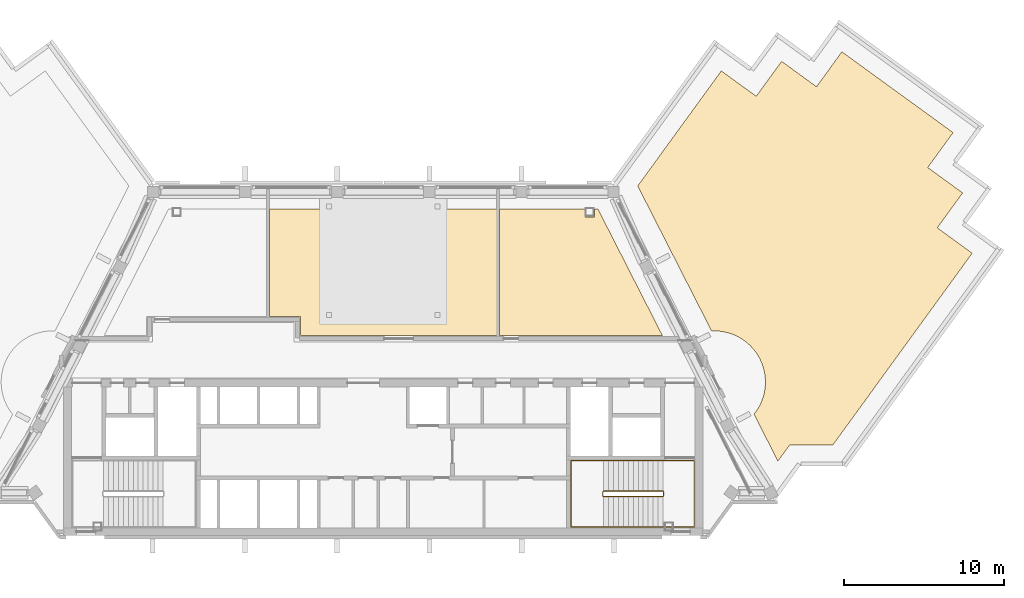
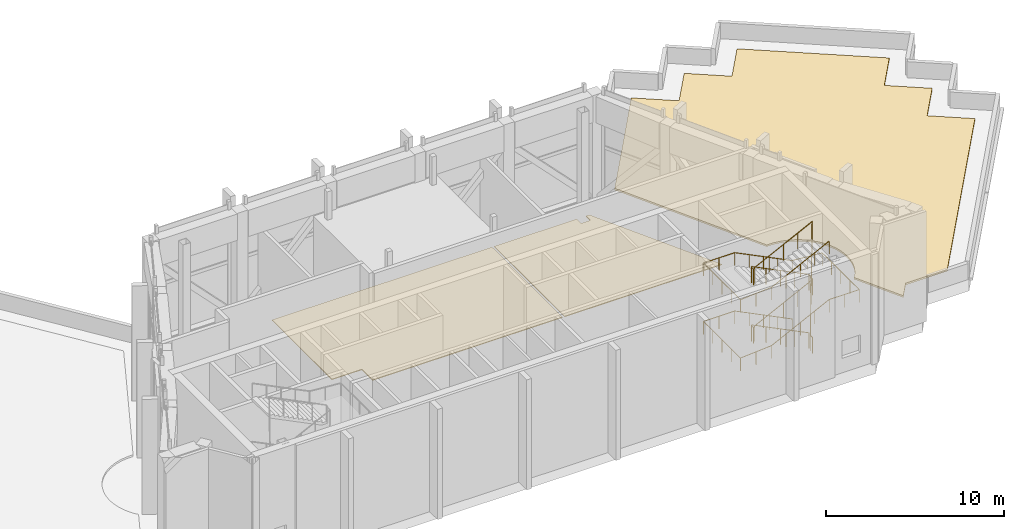
# One storey, part 13 of 14: 3 coverings, 2 railings.
"""IFC4 building model written with IfcOpenShell, lengths in metres."""

from ifc_helpers import new_model, si_unit, direction, frame, origin, origin_2d, place, context, subcontext, project, spatial, polyline, circle, outline, extrude, material, layer, layer_set, type_object, element, save


model = new_model("IFC4")

# Units and contexts
model_context = context("Model", 3, precision=1e-05, world=origin(), true_north=direction((0.0, 1.0)))
body_context = subcontext(model_context, "Body", "Model", "MODEL_VIEW")
ifc_project = project(units=[si_unit("LENGTHUNIT", "METRE"), si_unit("AREAUNIT", "SQUARE_METRE"), si_unit("VOLUMEUNIT", "CUBIC_METRE"), si_unit("PLANEANGLEUNIT", "RADIAN"), si_unit("MASSUNIT", "GRAM", prefix="KILO")], contexts=[model_context])

# Site, building, storey
site_placement = place(None, origin())
site = spatial("IfcSite", under=ifc_project, at=site_placement, CompositionType="ELEMENT")
building_placement = place(site_placement, origin())
building = spatial("IfcBuilding", under=site, at=building_placement, Name="Quipu Civic Tower", CompositionType="ELEMENT")
storey_placement = place(building_placement, frame((0.0, 0.0, 355.0)))
storey = spatial("IfcBuildingStorey", under=building, at=storey_placement, Name="L83", CompositionType="ELEMENT", Elevation=355.0)

# Coverings
ifc_material_1 = material(Name="Roof membrane and gravel ballast")
ifc_layer_1 = layer(ifc_material_1, 0.1201171875)
ifc_layer_set_1 = layer_set([ifc_layer_1], Name="Roof membrane and gravel ballast")
covering_type_1 = type_object("IfcCoveringType", Name="Roof membrane and ballast build-up", PredefinedType="ROOFING", material=ifc_layer_set_1)
covering_1_placement = place(storey_placement, origin())
element("IfcCovering", 1, at=covering_1_placement, inside=storey, type_object=covering_type_1, Name="Roof build-up L83 2", PredefinedType="ROOFING", context=body_context, shape_type="SweptSolid", body=[
    extrude(outline(polyline([(23.330078125, 16.492431640625), (24.9169921875, 18.6767578125), (27.101318359375, 17.08984375), (28.6884765625, 19.274169921875), (35.64599609375, 14.21923828125), (34.058837890625, 12.034912109375), (36.243408203125, 10.44775390625), (34.65625, 8.263427734375), (36.840576171875, 6.676513671875), (28.116455078125, -5.331298828125), (25.41650390625, -5.331298828125), (24.68701171875, -6.335205078125), (23.191162109375, -3.3994140625), (23.36669921875, -3.162841796875), (23.528076171875, -2.8935546875), (23.662353515625, -2.609619140625), (23.768310546875, -2.31396484375), (23.844482421875, -2.00927734375), (23.890625, -1.69873046875), (23.906005859375, -1.385009765625), (23.890625, -1.0712890625), (23.844482421875, -0.7607421875), (23.768310546875, -0.4560546875), (23.662353515625, -0.160400390625), (23.528076171875, 0.12353515625), (23.36669921875, 0.392822265625), (23.1796875, 0.64501953125), (22.96875, 0.877685546875), (22.736083984375, 1.088623046875), (22.48388671875, 1.275634765625), (22.214599609375, 1.43701171875), (21.9306640625, 1.5712890625), (21.635009765625, 1.67724609375), (21.330322265625, 1.75341796875), (21.019775390625, 1.799560546875), (20.7060546875, 1.81494140625), (20.538330078125, 1.806884765625), (15.915283203125, 10.88037109375), (21.1455078125, 18.07958984375), (23.330078125, 16.492431640625)])), origin(), (0.0, 0.0, 1.0), 0.1201171875),
])
ifc_material_2 = material(Name="Sealed cement screed")
ifc_layer_2 = layer(ifc_material_2, 0.050048828125)
ifc_layer_set_2 = layer_set([ifc_layer_2], Name="Sealed cement screed")
covering_type_2 = type_object("IfcCoveringType", Name="Sealed screed floor finish 50", PredefinedType="FLOORING", material=ifc_layer_set_2)
covering_2_placement = place(storey_placement, origin())
element("IfcCovering", 2, at=covering_2_placement, inside=storey, type_object=covering_type_2, Name="Sealed screed floor finish 50", PredefinedType="FLOORING", context=body_context, shape_type="SweptSolid", body=[
    extrude(outline(polyline([(-7.1279296875, 2.719970703125), (-7.1279296875, 9.429931640625), (7.1279296875, 9.429931640625), (7.1279296875, 1.52001953125), (-5.179931640625, 1.52001953125), (-5.180908203125, 2.719970703125), (-7.1279296875, 2.719970703125)])), origin(), (0.0, 0.0, 1.0), 0.050048828125),
])
covering_3_placement = place(storey_placement, origin())
element("IfcCovering", 3, at=covering_3_placement, inside=storey, type_object=covering_type_2, Name="Sealed screed floor finish 50", PredefinedType="FLOORING", context=body_context, shape_type="SweptSolid", body=[
    extrude(outline(polyline([(7.26806640625, 1.52001953125), (7.26806640625, 9.429931640625), (12.612060546875, 9.429931640625), (12.612060546875, 8.989013671875), (12.612060546875, 8.98388671875), (12.613037109375, 8.97900390625), (12.614013671875, 8.97412109375), (12.615966796875, 8.969970703125), (12.617919921875, 8.965087890625), (12.6201171875, 8.9609375), (12.623046875, 8.95703125), (12.626953125, 8.952880859375), (12.6298828125, 8.949951171875), (12.634033203125, 8.947021484375), (12.637939453125, 8.945068359375), (12.64306640625, 8.943115234375), (12.64697265625, 8.94091796875), (12.652099609375, 8.93994140625), (12.656982421875, 8.93896484375), (12.662109375, 8.93896484375), (13.169921875, 8.93896484375), (13.175048828125, 8.93896484375), (13.179931640625, 8.93994140625), (13.18408203125, 8.94091796875), (13.18896484375, 8.943115234375), (13.194091796875, 8.945068359375), (13.197998046875, 8.947021484375), (13.201904296875, 8.949951171875), (13.205078125, 8.952880859375), (13.208984375, 8.95703125), (13.2119140625, 8.9609375), (13.214111328125, 8.965087890625), (13.216064453125, 8.969970703125), (13.218017578125, 8.97412109375), (13.218994140625, 8.97900390625), (13.219970703125, 8.98388671875), (13.219970703125, 8.989013671875), (13.219970703125, 9.429931640625), (13.43310546875, 9.429931640625), (17.464111328125, 1.52001953125), (7.26806640625, 1.52001953125)])), origin(), (0.0, 0.0, 1.0), 0.050048828125),
])

# Railings
ifc_material_3 = material(Name="Stainless steel", Category="steel")
railing_type_1 = type_object("IfcRailingType", Name="Stair guard 1100", PredefinedType="GUARDRAIL", material=ifc_material_3)
railing_1_placement = place(storey_placement, frame((17.5, -8.199951171875, 0.15380859375)))
element("IfcRailing", 4, at=railing_1_placement, inside=storey, type_object=railing_type_1, Name="Stair 2 guard", PredefinedType="GUARDRAIL", context=body_context, shape_type="SweptSolid", body=[
    extrude(circle(Radius=0.02392578125, at=origin_2d()), frame((0.0, 0.0, 1.076171875), z_axis=(-0.895751851347, 0.0, 0.444554407028), x_axis=(0.0, -1.0, 0.0)), (0.0, 0.0, 1.0), 4.15283203125),
    extrude(circle(Radius=0.02392578125, at=origin_2d()), frame((-3.719970703125, 0.0, 2.92236328125), z_axis=(-0.707106781187, -0.707106781187, 0.0), x_axis=(0.707106781187, -0.707106781187, 0.0)), (0.0, 0.0, 1.0), 0.07080078125),
    extrude(circle(Radius=0.02392578125, at=origin_2d()), frame((-3.77001953125, -0.050048828125, 2.92236328125), z_axis=(0.0, -1.0, 0.0), x_axis=(1.0, 0.0, 0.0)), (0.0, 0.0, 1.0), 0.25),
    extrude(circle(Radius=0.02392578125, at=origin_2d()), frame((-3.77001953125, -0.300048828125, 2.92236328125), z_axis=(0.295599637079, -0.295599637079, 0.908428152975), x_axis=(0.707106781187, 0.707106781187, 0.0)), (0.0, 0.0, 1.0), 0.16943359375),
    extrude(circle(Radius=0.02392578125, at=origin_2d()), frame((-3.719970703125, -0.35009765625, 3.076171875), z_axis=(0.895751851347, 0.0, 0.444554407028), x_axis=(0.0, 1.0, 0.0)), (0.0, 0.0, 1.0), 4.15283203125),
    extrude(circle(Radius=0.02392578125, at=origin_2d()), frame((0.0, -0.35009765625, 4.92236328125), z_axis=(0.164529134168, 0.986372223864, 0.0), x_axis=(-0.986372223864, 0.164529134168, 0.0)), (0.0, 0.0, 1.0), 0.30419921875),
    extrude(circle(Radius=0.02392578125, at=origin_2d()), frame((0.050048828125, -0.050048828125, 4.92236328125), z_axis=(0.0, -1.0, 0.0), x_axis=(1.0, 0.0, 0.0)), (0.0, 0.0, 1.0), 0.25),
    extrude(circle(Radius=0.02392578125, at=origin_2d()), frame((0.050048828125, -0.300048828125, 4.92236328125), z_axis=(-0.146827419986, 0.880248288601, 0.451225729714), x_axis=(-0.986372223864, -0.164529134168, 0.0)), (0.0, 0.0, 1.0), 0.3408203125),
    extrude(circle(Radius=0.02392578125, at=origin_2d()), frame((0.0, 0.0, 5.076171875), z_axis=(-0.895751851347, 0.0, 0.444554407028), x_axis=(0.0, -1.0, 0.0)), (0.0, 0.0, 1.0), 4.15283203125),
    extrude(circle(Radius=0.02392578125, at=origin_2d()), frame((-3.719970703125, 0.0, 6.92236328125), z_axis=(-0.707106781187, -0.707106781187, 0.0), x_axis=(0.707106781187, -0.707106781187, 0.0)), (0.0, 0.0, 1.0), 0.07080078125),
    extrude(circle(Radius=0.02392578125, at=origin_2d()), frame((-3.77001953125, -0.050048828125, 6.92236328125), z_axis=(0.0, -1.0, 0.0), x_axis=(1.0, 0.0, 0.0)), (0.0, 0.0, 1.0), 0.25),
    extrude(circle(Radius=0.02392578125, at=origin_2d()), frame((-3.77001953125, -0.300048828125, 6.92236328125), z_axis=(0.295599637079, -0.295599637079, 0.908428152975), x_axis=(0.707106781187, 0.707106781187, 0.0)), (0.0, 0.0, 1.0), 0.16943359375),
    extrude(circle(Radius=0.02392578125, at=origin_2d()), frame((-3.719970703125, -0.35009765625, 7.076171875), z_axis=(0.895751851347, 0.0, 0.444554407028), x_axis=(0.0, 1.0, 0.0)), (0.0, 0.0, 1.0), 4.15283203125),
    extrude(circle(Radius=0.02392578125, at=origin_2d()), frame((0.0, -0.35009765625, 8.92236328125), z_axis=(0.006251585731, 0.037479018846, -0.999277859668), x_axis=(-0.986372223864, 0.164529134168, 0.0)), (0.0, 0.0, 1.0), 8.005859375),
    extrude(circle(Radius=0.02392578125, at=origin_2d()), frame((0.050048828125, -0.050048828125, 0.92236328125), z_axis=(0.0, -1.0, 0.0), x_axis=(1.0, 0.0, 0.0)), (0.0, 0.0, 1.0), 0.25),
    extrude(circle(Radius=0.02099609375, at=origin_2d()), origin(), (0.0, 0.0, 1.0), 1.052001953125),
    extrude(circle(Radius=0.02099609375, at=origin_2d()), frame((-0.929931640625, 0.0, 0.46142578125)), (0.0, 0.0, 1.0), 1.052001953125),
    extrude(circle(Radius=0.02099609375, at=origin_2d()), frame((-1.85986328125, 0.0, 0.923095703125)), (0.0, 0.0, 1.0), 1.052001953125),
    extrude(circle(Radius=0.02099609375, at=origin_2d()), frame((-2.7900390625, 0.0, 1.384765625)), (0.0, 0.0, 1.0), 1.052001953125),
    extrude(circle(Radius=0.02099609375, at=origin_2d()), frame((-3.719970703125, 0.0, 1.84619140625)), (0.0, 0.0, 1.0), 1.052001953125),
    extrude(circle(Radius=0.02099609375, at=origin_2d()), frame((-3.77001953125, -0.050048828125, 1.84619140625)), (0.0, 0.0, 1.0), 1.052001953125),
    extrude(circle(Radius=0.02099609375, at=origin_2d()), frame((-3.77001953125, -0.300048828125, 1.84619140625)), (0.0, 0.0, 1.0), 1.052001953125),
    extrude(circle(Radius=0.02099609375, at=origin_2d()), frame((-3.719970703125, -0.35009765625, 2.0)), (0.0, 0.0, 1.0), 1.052001953125),
    extrude(circle(Radius=0.02099609375, at=origin_2d()), frame((-2.7900390625, -0.35009765625, 2.46142578125)), (0.0, 0.0, 1.0), 1.052001953125),
    extrude(circle(Radius=0.02099609375, at=origin_2d()), frame((-1.85986328125, -0.35009765625, 2.923095703125)), (0.0, 0.0, 1.0), 1.052001953125),
    extrude(circle(Radius=0.02099609375, at=origin_2d()), frame((-0.929931640625, -0.35009765625, 3.384765625)), (0.0, 0.0, 1.0), 1.052001953125),
    extrude(circle(Radius=0.02099609375, at=origin_2d()), frame((0.0, -0.35009765625, 3.84619140625)), (0.0, 0.0, 1.0), 1.052001953125),
    extrude(circle(Radius=0.02099609375, at=origin_2d()), frame((0.050048828125, -0.050048828125, 3.84619140625)), (0.0, 0.0, 1.0), 1.052001953125),
    extrude(circle(Radius=0.02099609375, at=origin_2d()), frame((0.050048828125, -0.300048828125, 3.84619140625)), (0.0, 0.0, 1.0), 1.052001953125),
    extrude(circle(Radius=0.02099609375, at=origin_2d()), frame((0.0, 0.0, 4.0)), (0.0, 0.0, 1.0), 1.052001953125),
    extrude(circle(Radius=0.02099609375, at=origin_2d()), frame((-0.929931640625, 0.0, 4.46142578125)), (0.0, 0.0, 1.0), 1.052001953125),
    extrude(circle(Radius=0.02099609375, at=origin_2d()), frame((-1.85986328125, 0.0, 4.923095703125)), (0.0, 0.0, 1.0), 1.052001953125),
    extrude(circle(Radius=0.02099609375, at=origin_2d()), frame((-2.7900390625, 0.0, 5.384765625)), (0.0, 0.0, 1.0), 1.052001953125),
    extrude(circle(Radius=0.02099609375, at=origin_2d()), frame((-3.719970703125, 0.0, 5.84619140625)), (0.0, 0.0, 1.0), 1.052001953125),
    extrude(circle(Radius=0.02099609375, at=origin_2d()), frame((-3.77001953125, -0.050048828125, 5.84619140625)), (0.0, 0.0, 1.0), 1.052001953125),
    extrude(circle(Radius=0.02099609375, at=origin_2d()), frame((-3.77001953125, -0.300048828125, 5.84619140625)), (0.0, 0.0, 1.0), 1.052001953125),
    extrude(circle(Radius=0.02099609375, at=origin_2d()), frame((-3.719970703125, -0.35009765625, 6.0)), (0.0, 0.0, 1.0), 1.052001953125),
    extrude(circle(Radius=0.02099609375, at=origin_2d()), frame((-2.7900390625, -0.35009765625, 6.46142578125)), (0.0, 0.0, 1.0), 1.052001953125),
    extrude(circle(Radius=0.02099609375, at=origin_2d()), frame((-1.85986328125, -0.35009765625, 6.923095703125)), (0.0, 0.0, 1.0), 1.052001953125),
    extrude(circle(Radius=0.02099609375, at=origin_2d()), frame((-0.929931640625, -0.35009765625, 7.384765625)), (0.0, 0.0, 1.0), 1.052001953125),
    extrude(circle(Radius=0.02099609375, at=origin_2d()), frame((0.0, -0.35009765625, 7.84619140625)), (0.0, 0.0, 1.0), 1.052001953125),
    extrude(circle(Radius=0.02099609375, at=origin_2d()), frame((0.007080078125, -0.30712890625, 6.703369140625)), (0.0, 0.0, 1.0), 1.052001953125),
    extrude(circle(Radius=0.02099609375, at=origin_2d()), frame((0.014404296875, -0.264404296875, 5.560546875)), (0.0, 0.0, 1.0), 1.052001953125),
    extrude(circle(Radius=0.02099609375, at=origin_2d()), frame((0.021484375, -0.221435546875, 4.417724609375)), (0.0, 0.0, 1.0), 1.052001953125),
    extrude(circle(Radius=0.02099609375, at=origin_2d()), frame((0.028564453125, -0.1787109375, 3.274658203125)), (0.0, 0.0, 1.0), 1.052001953125),
    extrude(circle(Radius=0.02099609375, at=origin_2d()), frame((0.03564453125, -0.1357421875, 2.1318359375)), (0.0, 0.0, 1.0), 1.052001953125),
    extrude(circle(Radius=0.02099609375, at=origin_2d()), frame((0.04296875, -0.093017578125, 0.989013671875)), (0.0, 0.0, 1.0), 1.052001953125),
    extrude(circle(Radius=0.02099609375, at=origin_2d()), frame((0.050048828125, -0.050048828125, -0.15380859375)), (0.0, 0.0, 1.0), 1.052001953125),
    extrude(circle(Radius=0.02099609375, at=origin_2d()), frame((0.050048828125, -0.300048828125, -0.15380859375)), (0.0, 0.0, 1.0), 1.052001953125),
])
ifc_material_4 = material(Name="Stainless steel", Category="steel")
railing_type_2 = type_object("IfcRailingType", Name="Stair handrail", PredefinedType="HANDRAIL", material=ifc_material_4)
railing_2_placement = place(storey_placement, frame((17.5, -6.300048828125, 0.15380859375)))
element("IfcRailing", 5, at=railing_2_placement, inside=storey, type_object=railing_type_2, Name="Stair 2 handrail", PredefinedType="HANDRAIL", context=body_context, shape_type="SweptSolid", body=[
    extrude(circle(Radius=0.02392578125, at=origin_2d()), frame((0.0, 0.0, 0.8759765625), z_axis=(-0.895751851347, 0.0, 0.444554407028), x_axis=(0.0, -1.0, 0.0)), (0.0, 0.0, 1.0), 4.15283203125),
    extrude(circle(Radius=0.02392578125, at=origin_2d()), frame((-3.719970703125, 0.0, 2.72216796875), z_axis=(-1.0, 0.0, 0.0), x_axis=(0.0, -1.0, 0.0)), (0.0, 0.0, 1.0), 2.030029296875),
    extrude(circle(Radius=0.02392578125, at=origin_2d()), frame((-5.75, 0.0, 2.72216796875), z_axis=(0.0, -1.0, 0.0), x_axis=(1.0, 0.0, 0.0)), (0.0, 0.0, 1.0), 4.14990234375),
    extrude(circle(Radius=0.02392578125, at=origin_2d()), frame((-5.75, -4.14990234375, 2.72216796875), z_axis=(0.997142003663, 0.0, 0.075550145798), x_axis=(0.0, 1.0, 0.0)), (0.0, 0.0, 1.0), 2.035888671875),
    extrude(circle(Radius=0.02392578125, at=origin_2d()), frame((-3.719970703125, -4.14990234375, 2.8759765625), z_axis=(0.895751851347, 0.0, 0.444554407028), x_axis=(0.0, 1.0, 0.0)), (0.0, 0.0, 1.0), 4.15283203125),
    extrude(circle(Radius=0.02392578125, at=origin_2d()), frame((0.0, -4.14990234375, 4.72216796875), z_axis=(1.0, 0.0, 0.0), x_axis=(0.0, 1.0, 0.0)), (0.0, 0.0, 1.0), 1.949951171875),
    extrude(circle(Radius=0.02392578125, at=origin_2d()), frame((1.949951171875, -4.14990234375, 4.72216796875), z_axis=(0.0, 1.0, 0.0), x_axis=(-1.0, 0.0, 0.0)), (0.0, 0.0, 1.0), 4.14990234375),
    extrude(circle(Radius=0.02392578125, at=origin_2d()), frame((1.949951171875, 0.0, 4.72216796875), z_axis=(-0.99690355813, 0.0, 0.078633935348), x_axis=(0.0, -1.0, 0.0)), (0.0, 0.0, 1.0), 1.9560546875),
    extrude(circle(Radius=0.02392578125, at=origin_2d()), frame((0.0, 0.0, 4.8759765625), z_axis=(-0.895751851347, 0.0, 0.444554407028), x_axis=(0.0, -1.0, 0.0)), (0.0, 0.0, 1.0), 4.15283203125),
    extrude(circle(Radius=0.02392578125, at=origin_2d()), frame((-3.719970703125, 0.0, 6.72216796875), z_axis=(-1.0, 0.0, 0.0), x_axis=(0.0, -1.0, 0.0)), (0.0, 0.0, 1.0), 2.030029296875),
    extrude(circle(Radius=0.02392578125, at=origin_2d()), frame((-5.75, 0.0, 6.72216796875), z_axis=(0.0, -1.0, 0.0), x_axis=(1.0, 0.0, 0.0)), (0.0, 0.0, 1.0), 4.14990234375),
    extrude(circle(Radius=0.02392578125, at=origin_2d()), frame((-5.75, -4.14990234375, 6.72216796875), z_axis=(0.997142003663, 0.0, 0.075550145798), x_axis=(0.0, 1.0, 0.0)), (0.0, 0.0, 1.0), 2.035888671875),
    extrude(circle(Radius=0.02392578125, at=origin_2d()), frame((-3.719970703125, -4.14990234375, 6.8759765625), z_axis=(0.895751851347, 0.0, 0.444554407028), x_axis=(0.0, 1.0, 0.0)), (0.0, 0.0, 1.0), 4.15283203125),
    extrude(circle(Radius=0.02099609375, at=origin_2d()), origin(), (0.0, 0.0, 1.0), 0.851806640625),
    extrude(circle(Radius=0.02099609375, at=origin_2d()), frame((-0.929931640625, 0.0, 0.46142578125)), (0.0, 0.0, 1.0), 0.851806640625),
    extrude(circle(Radius=0.02099609375, at=origin_2d()), frame((-1.85986328125, 0.0, 0.923095703125)), (0.0, 0.0, 1.0), 0.851806640625),
    extrude(circle(Radius=0.02099609375, at=origin_2d()), frame((-2.7900390625, 0.0, 1.384765625)), (0.0, 0.0, 1.0), 0.851806640625),
    extrude(circle(Radius=0.02099609375, at=origin_2d()), frame((-3.719970703125, 0.0, 1.84619140625)), (0.0, 0.0, 1.0), 0.851806640625),
    extrude(circle(Radius=0.02099609375, at=origin_2d()), frame((-4.73486328125, 0.0, 1.84619140625)), (0.0, 0.0, 1.0), 0.851806640625),
    extrude(circle(Radius=0.02099609375, at=origin_2d()), frame((-5.75, 0.0, 1.84619140625)), (0.0, 0.0, 1.0), 0.851806640625),
    extrude(circle(Radius=0.02099609375, at=origin_2d()), frame((-5.75, -1.03759765625, 1.84619140625)), (0.0, 0.0, 1.0), 0.851806640625),
    extrude(circle(Radius=0.02099609375, at=origin_2d()), frame((-5.75, -2.074951171875, 1.84619140625)), (0.0, 0.0, 1.0), 0.851806640625),
    extrude(circle(Radius=0.02099609375, at=origin_2d()), frame((-5.75, -3.1123046875, 1.84619140625)), (0.0, 0.0, 1.0), 0.851806640625),
    extrude(circle(Radius=0.02099609375, at=origin_2d()), frame((-5.75, -4.14990234375, 1.84619140625)), (0.0, 0.0, 1.0), 0.851806640625),
    extrude(circle(Radius=0.02099609375, at=origin_2d()), frame((-4.73486328125, -4.14990234375, 1.923095703125)), (0.0, 0.0, 1.0), 0.851806640625),
    extrude(circle(Radius=0.02099609375, at=origin_2d()), frame((-3.719970703125, -4.14990234375, 2.0)), (0.0, 0.0, 1.0), 0.851806640625),
    extrude(circle(Radius=0.02099609375, at=origin_2d()), frame((-2.7900390625, -4.14990234375, 2.46142578125)), (0.0, 0.0, 1.0), 0.851806640625),
    extrude(circle(Radius=0.02099609375, at=origin_2d()), frame((-1.85986328125, -4.14990234375, 2.923095703125)), (0.0, 0.0, 1.0), 0.851806640625),
    extrude(circle(Radius=0.02099609375, at=origin_2d()), frame((-0.929931640625, -4.14990234375, 3.384765625)), (0.0, 0.0, 1.0), 0.851806640625),
    extrude(circle(Radius=0.02099609375, at=origin_2d()), frame((0.0, -4.14990234375, 3.84619140625)), (0.0, 0.0, 1.0), 0.851806640625),
    extrude(circle(Radius=0.02099609375, at=origin_2d()), frame((0.97509765625, -4.14990234375, 3.84619140625)), (0.0, 0.0, 1.0), 0.851806640625),
    extrude(circle(Radius=0.02099609375, at=origin_2d()), frame((1.949951171875, -4.14990234375, 3.84619140625)), (0.0, 0.0, 1.0), 0.851806640625),
    extrude(circle(Radius=0.02099609375, at=origin_2d()), frame((1.949951171875, -3.1123046875, 3.84619140625)), (0.0, 0.0, 1.0), 0.851806640625),
    extrude(circle(Radius=0.02099609375, at=origin_2d()), frame((1.949951171875, -2.074951171875, 3.84619140625)), (0.0, 0.0, 1.0), 0.851806640625),
    extrude(circle(Radius=0.02099609375, at=origin_2d()), frame((1.949951171875, -1.03759765625, 3.84619140625)), (0.0, 0.0, 1.0), 0.851806640625),
    extrude(circle(Radius=0.02099609375, at=origin_2d()), frame((1.949951171875, 0.0, 3.84619140625)), (0.0, 0.0, 1.0), 0.851806640625),
    extrude(circle(Radius=0.02099609375, at=origin_2d()), frame((0.97509765625, 0.0, 3.923095703125)), (0.0, 0.0, 1.0), 0.851806640625),
    extrude(circle(Radius=0.02099609375, at=origin_2d()), frame((0.0, 0.0, 4.0)), (0.0, 0.0, 1.0), 0.851806640625),
    extrude(circle(Radius=0.02099609375, at=origin_2d()), frame((-0.929931640625, 0.0, 4.46142578125)), (0.0, 0.0, 1.0), 0.851806640625),
    extrude(circle(Radius=0.02099609375, at=origin_2d()), frame((-1.85986328125, 0.0, 4.923095703125)), (0.0, 0.0, 1.0), 0.851806640625),
    extrude(circle(Radius=0.02099609375, at=origin_2d()), frame((-2.7900390625, 0.0, 5.384765625)), (0.0, 0.0, 1.0), 0.851806640625),
    extrude(circle(Radius=0.02099609375, at=origin_2d()), frame((-3.719970703125, 0.0, 5.84619140625)), (0.0, 0.0, 1.0), 0.851806640625),
    extrude(circle(Radius=0.02099609375, at=origin_2d()), frame((-4.73486328125, 0.0, 5.84619140625)), (0.0, 0.0, 1.0), 0.851806640625),
    extrude(circle(Radius=0.02099609375, at=origin_2d()), frame((-5.75, 0.0, 5.84619140625)), (0.0, 0.0, 1.0), 0.851806640625),
    extrude(circle(Radius=0.02099609375, at=origin_2d()), frame((-5.75, -1.03759765625, 5.84619140625)), (0.0, 0.0, 1.0), 0.851806640625),
    extrude(circle(Radius=0.02099609375, at=origin_2d()), frame((-5.75, -2.074951171875, 5.84619140625)), (0.0, 0.0, 1.0), 0.851806640625),
    extrude(circle(Radius=0.02099609375, at=origin_2d()), frame((-5.75, -3.1123046875, 5.84619140625)), (0.0, 0.0, 1.0), 0.851806640625),
    extrude(circle(Radius=0.02099609375, at=origin_2d()), frame((-5.75, -4.14990234375, 5.84619140625)), (0.0, 0.0, 1.0), 0.851806640625),
    extrude(circle(Radius=0.02099609375, at=origin_2d()), frame((-4.73486328125, -4.14990234375, 5.923095703125)), (0.0, 0.0, 1.0), 0.851806640625),
    extrude(circle(Radius=0.02099609375, at=origin_2d()), frame((-3.719970703125, -4.14990234375, 6.0)), (0.0, 0.0, 1.0), 0.851806640625),
    extrude(circle(Radius=0.02099609375, at=origin_2d()), frame((-2.7900390625, -4.14990234375, 6.46142578125)), (0.0, 0.0, 1.0), 0.851806640625),
    extrude(circle(Radius=0.02099609375, at=origin_2d()), frame((-1.85986328125, -4.14990234375, 6.923095703125)), (0.0, 0.0, 1.0), 0.851806640625),
    extrude(circle(Radius=0.02099609375, at=origin_2d()), frame((-0.929931640625, -4.14990234375, 7.384765625)), (0.0, 0.0, 1.0), 0.851806640625),
    extrude(circle(Radius=0.02099609375, at=origin_2d()), frame((0.0, -4.14990234375, 7.84619140625)), (0.0, 0.0, 1.0), 0.851806640625),
])

save(model, "model.ifc")
